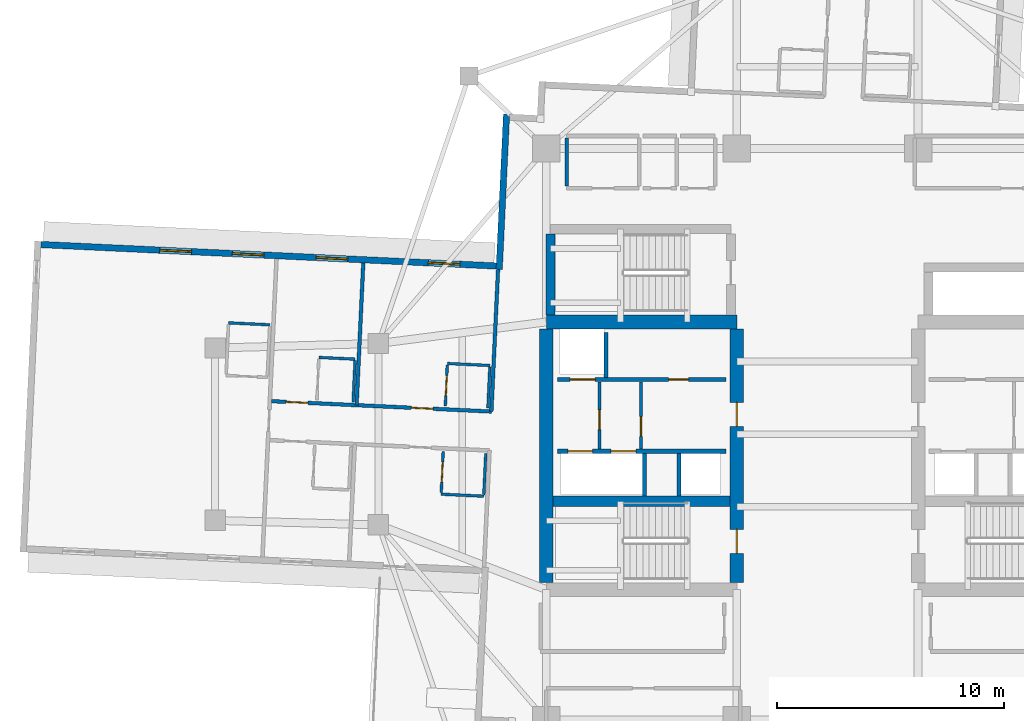
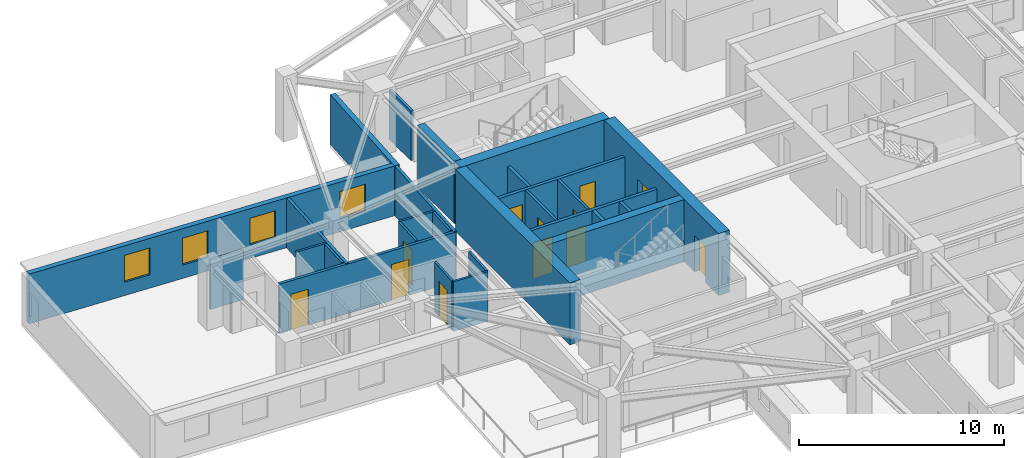
# One storey, part 5 of 14: 27 walls, 12 doors, 4 windows, 16 openings.
"""IFC4 building model written with IfcOpenShell, lengths in metres."""

from ifc_helpers import new_model, si_unit, direction, frame, frame_2d, origin, place, context, subcontext, project, spatial, rectangle, extrude, material, layer, layer_set, type_object, element, fill, save


model = new_model("IFC4")

# Units and contexts
model_context = context("Model", 3, precision=1e-05, world=origin(), true_north=direction((0.0, 1.0)))
body_context = subcontext(model_context, "Body", "Model", "MODEL_VIEW")
ifc_project = project(units=[si_unit("LENGTHUNIT", "METRE"), si_unit("AREAUNIT", "SQUARE_METRE"), si_unit("VOLUMEUNIT", "CUBIC_METRE"), si_unit("PLANEANGLEUNIT", "RADIAN"), si_unit("MASSUNIT", "GRAM", prefix="KILO")], contexts=[model_context])

# Site, building, storey
site_placement = place(None, origin())
site = spatial("IfcSite", under=ifc_project, at=site_placement, CompositionType="ELEMENT")
building_placement = place(site_placement, origin())
building = spatial("IfcBuilding", under=site, at=building_placement, Name="Qingluan Cross Belvedere", CompositionType="ELEMENT")
storey_placement = place(building_placement, frame((0.0, 0.0, 156.60009765625)))
storey = spatial("IfcBuildingStorey", under=building, at=storey_placement, Name="L39", CompositionType="ELEMENT", Elevation=156.60009765625)

# Walls
ifc_material_1 = material(Name="Concrete C50", Category="concrete")
ifc_layer_1 = layer(ifc_material_1, 0.449951171875, Name="CoreShearWall_450")
ifc_layer_set_1 = layer_set([ifc_layer_1], Name="Concrete C50")
wall_type_1 = type_object("IfcWallType", Name="CoreShearWall_450", PredefinedType="SHEAR", material=ifc_layer_set_1)
wall_1_placement = place(storey_placement, frame((-12.094970703125, -2.9599609375, 0.0), z_axis=(0.0, 0.0, 1.0), x_axis=(1.0, 0.0, 0.0)))
element("IfcWall", 1, at=wall_1_placement, inside=storey, type_object=wall_type_1, Name="Split core W shear wall L39-M", PredefinedType="SHEAR", context=body_context, shape_type="SweptSolid", body=[
    extrude(rectangle(XDim=7.7900390625, YDim=0.449951171875, at=frame_2d((3.89501953125, 0.0))), origin(), (0.0, 0.0, 1.0), 3.699951171875),
])
wall_2_placement = place(storey_placement, frame((-12.219970703125, 5.2548828125, 0.0), z_axis=(0.0, 0.0, 1.0), x_axis=(0.0, 1.0, 0.0)))
element("IfcWall", 2, at=wall_2_placement, inside=storey, type_object=wall_type_1, Name="Stair ST3 structural wall W L39", PredefinedType="SHEAR", context=body_context, shape_type="SweptSolid", body=[
    extrude(rectangle(XDim=3.580078125, YDim=0.39990234375, at=frame_2d((1.7900390625, 0.0))), origin(), (0.0, 0.0, 1.0), 3.699951171875),
])
ifc_material_2 = material(Name="Concrete C60", Category="concrete")
ifc_layer_2 = layer(ifc_material_2, 0.60009765625, Name="CoreShearWall_600")
ifc_layer_set_2 = layer_set([ifc_layer_2], Name="Concrete C60")
wall_type_2 = type_object("IfcWallType", Name="CoreShearWall_600", PredefinedType="SHEAR", material=ifc_layer_set_2)
wall_3_placement = place(storey_placement, frame((-12.39990234375, 4.949951171875, 0.0), z_axis=(0.0, 0.0, 1.0), x_axis=(1.0, 0.0, 0.0)))
element("IfcWall", 3, at=wall_3_placement, inside=storey, type_object=wall_type_2, Name="Split core W shear wall L39-N", PredefinedType="SHEAR", context=body_context, shape_type="SweptSolid", body=[
    extrude(rectangle(XDim=8.39990234375, YDim=0.60009765625, at=frame_2d((4.199951171875, 0.0))), origin(), (0.0, 0.0, 1.0), 3.699951171875),
])
wall_4_placement = place(storey_placement, frame((-12.39990234375, -6.544921875, 0.0), z_axis=(0.0, 0.0, 1.0), x_axis=(0.0, 1.0, 0.0)))
element("IfcWall", 4, at=wall_4_placement, inside=storey, type_object=wall_type_2, Name="Split core W shear wall L39-W", PredefinedType="SHEAR", context=body_context, shape_type="SweptSolid", body=[
    extrude(rectangle(XDim=11.18994140625, YDim=0.60009765625, at=frame_2d((5.594970703125, 0.0))), origin(), (0.0, 0.0, 1.0), 3.699951171875),
])

# Wall, openings, doors
wall_5_placement = place(storey_placement, frame((-4.0, -6.544921875, 0.0), z_axis=(0.0, 0.0, 1.0), x_axis=(0.0, 1.0, 0.0)))
wall_5 = element("IfcWall", 5, at=wall_5_placement, inside=storey, type_object=wall_type_2, Name="Split core W shear wall L39-E", PredefinedType="SHEAR", context=body_context, shape_type="SweptSolid", body=[
    extrude(rectangle(XDim=11.18994140625, YDim=0.60009765625, at=frame_2d((5.594970703125, 0.0))), origin(), (0.0, 0.0, 1.0), 3.699951171875),
])
opening_1_placement = place(wall_5_placement, frame((1.294921875, 0.0, 0.0)))
opening_1 = element("IfcOpeningElement", 6, at=opening_1_placement, cuts=wall_5, Name="Opening FD-B11", PredefinedType="OPENING", context=body_context, shape_type="SweptSolid", body=[
    extrude(rectangle(XDim=1.050048828125, YDim=2.14990234375, at=frame_2d((0.52490234375, 1.074951171875))), frame((0.0, 0.31005859375, 0.0), z_axis=(0.0, -1.0, 0.0), x_axis=(1.0, 0.0, 0.0)), (0.0, 0.0, 1.0), 0.6201171875),
])
opening_2_placement = place(wall_5_placement, frame((6.89501953125, 0.0, 0.0)))
opening_2 = element("IfcOpeningElement", 7, at=opening_2_placement, cuts=wall_5, Name="Opening FD-B11", PredefinedType="OPENING", context=body_context, shape_type="SweptSolid", body=[
    extrude(rectangle(XDim=1.050048828125, YDim=2.14990234375, at=frame_2d((0.52490234375, 1.074951171875))), frame((0.0, 0.31005859375, 0.0), z_axis=(0.0, -1.0, 0.0), x_axis=(1.0, 0.0, 0.0)), (0.0, 0.0, 1.0), 0.6201171875),
])
ifc_material_3 = material(Name="Steel Class B smoke-seal fire door", Category="steel")
door_type_1 = type_object("IfcDoorType", Name="StairLobbyFireDoor_FDB", OperationType="NOTDEFINED", PredefinedType="DOOR", material=ifc_material_3)
door_1_placement = place(opening_1_placement, origin())
door_1 = element("IfcDoor", 8, at=door_1_placement, inside=storey, type_object=door_type_1, Name="Smoke-proof stair ST1 fire door L39", OperationType="SINGLE_SWING_LEFT", OverallHeight=2.14990234375, OverallWidth=1.050048828125, PredefinedType="DOOR", context=body_context, shape_type="SweptSolid", body=[
    extrude(rectangle(XDim=1.050048828125, YDim=2.14990234375, at=frame_2d((0.52490234375, 1.074951171875))), frame((0.0, 0.02490234375, 0.0), z_axis=(0.0, -1.0, 0.0), x_axis=(1.0, 0.0, 0.0)), (0.0, 0.0, 1.0), 0.050048828125),
])
fill(opening_1, door_1)
door_2_placement = place(opening_2_placement, origin())
door_2 = element("IfcDoor", 9, at=door_2_placement, inside=storey, type_object=door_type_1, Name="Firefighting lobby West fire door L39", OperationType="SINGLE_SWING_LEFT", OverallHeight=2.14990234375, OverallWidth=1.050048828125, PredefinedType="DOOR", context=body_context, shape_type="SweptSolid", body=[
    extrude(rectangle(XDim=1.050048828125, YDim=2.14990234375, at=frame_2d((0.52490234375, 1.074951171875))), frame((0.0, 0.02490234375, 0.0), z_axis=(0.0, -1.0, 0.0), x_axis=(1.0, 0.0, 0.0)), (0.0, 0.0, 1.0), 0.050048828125),
])
fill(opening_2, door_2)

# Wall, opening, door
ifc_material_4 = material(Name="Gypsum plasterboard on steel stud acoustic partition", Category="steel")
ifc_layer_3 = layer(ifc_material_4, 0.159912109375, Name="CorridorPartition_160")
ifc_layer_set_3 = layer_set([ifc_layer_3], Name="Gypsum plasterboard on steel stud acoustic partition")
wall_type_3 = type_object("IfcWallType", Name="CorridorPartition_160", PredefinedType="PARTITIONING", material=ifc_layer_set_3)
wall_6_placement = place(storey_placement, frame((-10.050048828125, -0.652099609375, 0.0), z_axis=(0.0, 0.0, 1.0), x_axis=(0.0, 1.0, 0.0)))
wall_6 = element("IfcWall", 10, at=wall_6_placement, inside=storey, type_object=wall_type_3, Name="Partition L39:wv", PredefinedType="PARTITIONING", context=body_context, shape_type="SweptSolid", body=[
    extrude(rectangle(XDim=2.962158203125, YDim=0.139892578125, at=frame_2d((1.48095703125, 0.0))), origin(), (0.0, 0.0, 1.0), 2.9599609375),
])
opening_3_placement = place(wall_6_placement, frame((0.85009765625, 0.0, 0.0)))
opening_3 = element("IfcOpeningElement", 11, at=opening_3_placement, cuts=wall_6, Name="Opening FD-B10", PredefinedType="OPENING", context=body_context, shape_type="SweptSolid", body=[
    extrude(rectangle(XDim=0.8798828125, YDim=2.10009765625, at=frame_2d((0.43994140625, 1.050048828125))), frame((0.0, 0.079833984375, 0.0), z_axis=(0.0, -1.0, 0.0), x_axis=(1.0, 0.0, 0.0)), (0.0, 0.0, 1.0), 0.159912109375),
])
ifc_material_5 = material(Name="Steel Class B service fire door", Category="steel")
door_type_2 = type_object("IfcDoorType", Name="RiserServiceFireDoor_FDB", OperationType="NOTDEFINED", PredefinedType="DOOR", material=ifc_material_5)
door_3_placement = place(opening_3_placement, origin())
door_3 = element("IfcDoor", 12, at=door_3_placement, inside=storey, type_object=door_type_2, Name="Service closet inner door L39", OperationType="SINGLE_SWING_RIGHT", OverallHeight=2.10009765625, OverallWidth=0.8798828125, PredefinedType="DOOR", context=body_context, shape_type="SweptSolid", body=[
    extrude(rectangle(XDim=0.8798828125, YDim=2.10009765625, at=frame_2d((0.43994140625, 1.050048828125))), frame((0.0, 0.02490234375, 0.0), z_axis=(0.0, -1.0, 0.0), x_axis=(1.0, 0.0, 0.0)), (0.0, 0.0, 1.0), 0.050048828125),
])
fill(opening_3, door_3)

# Wall
wall_7_placement = place(storey_placement, frame((-11.5, 10.93505859375, 0.0), z_axis=(0.0, 0.0, 1.0), x_axis=(0.0, 1.0, 0.0)))
element("IfcWall", 13, at=wall_7_placement, inside=storey, type_object=wall_type_3, Name="Partition L39:q_nw_occ:W", PredefinedType="PARTITIONING", context=body_context, shape_type="SweptSolid", body=[
    extrude(rectangle(XDim=2.1298828125, YDim=0.159912109375, at=frame_2d((1.06494140625, 0.0))), origin(), (0.0, 0.0, 1.0), 2.9599609375),
])

# Wall, openings, doors
wall_8_placement = place(storey_placement, frame((-14.8193359375, 0.999267578125, 0.0), z_axis=(0.0, 0.0, 1.0), x_axis=(-0.998890575268, 0.047091598416, 0.0)))
wall_8 = element("IfcWall", 14, at=wall_8_placement, inside=storey, type_object=wall_type_3, Name="Partition L39:W:c0", PredefinedType="PARTITIONING", context=body_context, shape_type="SweptSolid", body=[
    extrude(rectangle(XDim=9.699951171875, YDim=0.159912109375, at=frame_2d((4.85009765625, 0.0))), origin(), (0.0, 0.0, 1.0), 2.9599609375),
])
opening_4_placement = place(wall_8_placement, frame((2.574951171875, 0.0, 0.0)))
opening_4 = element("IfcOpeningElement", 15, at=opening_4_placement, cuts=wall_8, Name="Opening GD-10", PredefinedType="OPENING", context=body_context, shape_type="SweptSolid", body=[
    extrude(rectangle(XDim=0.9599609375, YDim=2.14990234375, at=frame_2d((0.47998046875, 1.074951171875))), frame((0.0, 0.08984375, 0.0), z_axis=(0.0, -1.0, 0.0), x_axis=(1.0, 0.0, 0.0)), (0.0, 0.0, 1.0), 0.179931640625),
])
opening_5_placement = place(wall_8_placement, frame((8.096923828125, 0.0, 0.0)))
opening_5 = element("IfcOpeningElement", 16, at=opening_5_placement, cuts=wall_8, Name="Opening GD-10", PredefinedType="OPENING", context=body_context, shape_type="SweptSolid", body=[
    extrude(rectangle(XDim=0.9599609375, YDim=2.14990234375, at=frame_2d((0.47998046875, 1.074951171875))), frame((0.0, 0.08984375, 0.0), z_axis=(0.0, -1.0, 0.0), x_axis=(1.0, 0.0, 0.0)), (0.0, 0.0, 1.0), 0.179931640625),
])
ifc_material_6 = material(Name="Timber oak fire-rated acoustic guestroom door", Category="wood")
door_type_3 = type_object("IfcDoorType", Name="GuestEntryDoor_FD60", OperationType="NOTDEFINED", PredefinedType="DOOR", material=ifc_material_6)
door_4_placement = place(opening_4_placement, origin())
door_4 = element("IfcDoor", 17, at=door_4_placement, inside=storey, type_object=door_type_3, Name="Guest entry fire door 3907", OperationType="SINGLE_SWING_RIGHT", OverallHeight=2.14990234375, OverallWidth=0.9599609375, PredefinedType="DOOR", context=body_context, shape_type="SweptSolid", body=[
    extrude(rectangle(XDim=0.9599609375, YDim=2.14990234375, at=frame_2d((0.47998046875, 1.074951171875))), frame((0.0, 0.02490234375, 0.0), z_axis=(0.0, -1.0, 0.0), x_axis=(1.0, 0.0, 0.0)), (0.0, 0.0, 1.0), 0.050048828125),
])
fill(opening_4, door_4)
door_5_placement = place(opening_5_placement, origin())
door_5 = element("IfcDoor", 18, at=door_5_placement, inside=storey, type_object=door_type_3, Name="Guest entry fire door 3908", OperationType="SINGLE_SWING_RIGHT", OverallHeight=2.14990234375, OverallWidth=0.9599609375, PredefinedType="DOOR", context=body_context, shape_type="SweptSolid", body=[
    extrude(rectangle(XDim=0.9599609375, YDim=2.14990234375, at=frame_2d((0.47998046875, 1.074951171875))), frame((0.0, 0.02490234375, 0.0), z_axis=(0.0, -1.0, 0.0), x_axis=(1.0, 0.0, 0.0)), (0.0, 0.0, 1.0), 0.050048828125),
])
fill(opening_5, door_5)

# Walls
wall_9_placement = place(storey_placement, frame((-14.8193359375, 0.999267578125, 0.0), z_axis=(0.0, 0.0, 1.0), x_axis=(0.047099102485, 0.998890221468, 0.0)))
element("IfcWall", 19, at=wall_9_placement, inside=storey, type_object=wall_type_3, Name="Partition L39:W:s0", PredefinedType="PARTITIONING", context=body_context, shape_type="SweptSolid", body=[
    extrude(rectangle(XDim=6.272216796875, YDim=0.159912109375, at=frame_2d((3.13623046875, 0.0))), origin(), (0.0, 0.0, 1.0), 2.9599609375),
])
wall_10_placement = place(storey_placement, frame((-20.7626953125, 1.279541015625, 0.0), z_axis=(0.0, 0.0, 1.0), x_axis=(0.047100933849, 0.998890135115, 0.0)))
element("IfcWall", 20, at=wall_10_placement, inside=storey, type_object=wall_type_3, Name="Partition L39:W:d0_0", PredefinedType="PARTITIONING", context=body_context, shape_type="SweptSolid", body=[
    extrude(rectangle(XDim=6.27197265625, YDim=0.159912109375, at=frame_2d((3.135986328125, 0.0))), origin(), (0.0, 0.0, 1.0), 2.9599609375),
])

# Wall, opening, door
ifc_material_7 = material(Name="Moisture-resistant gypsum board lining")
ifc_layer_4 = layer(ifc_material_7, 0.1201171875, Name="EnsuiteWetPartition_120")
ifc_layer_set_4 = layer_set([ifc_layer_4], Name="Moisture-resistant gypsum board lining")
wall_type_4 = type_object("IfcWallType", Name="EnsuiteWetPartition_120", PredefinedType="PARTITIONING", material=ifc_layer_set_4)
wall_11_placement = place(storey_placement, frame((-16.8505859375, 1.235107421875, 0.0), z_axis=(0.0, 0.0, 1.0), x_axis=(0.047087116047, 0.998890786574, 0.0)))
wall_11 = element("IfcWall", 21, at=wall_11_placement, inside=storey, type_object=wall_type_4, Name="Partition L39:W:bs0_0", PredefinedType="PARTITIONING", context=body_context, shape_type="SweptSolid", body=[
    extrude(rectangle(XDim=1.81982421875, YDim=0.1201171875, at=frame_2d((0.909912109375, 0.0))), origin(), (0.0, 0.0, 1.0), 2.9599609375),
])
opening_6_placement = place(wall_11_placement, frame((0.469970703125, 0.0, 0.0)))
opening_6 = element("IfcOpeningElement", 22, at=opening_6_placement, cuts=wall_11, Name="Opening BD-09", PredefinedType="OPENING", context=body_context, shape_type="SweptSolid", body=[
    extrude(rectangle(XDim=0.8798828125, YDim=2.10009765625, at=frame_2d((0.43994140625, 1.050048828125))), frame((0.0, 0.070068359375, 0.0), z_axis=(0.0, -1.0, 0.0), x_axis=(1.0, 0.0, 0.0)), (0.0, 0.0, 1.0), 0.14013671875),
])
ifc_material_8 = material(Name="Moisture-sealed timber en-suite door", Category="wood")
door_type_4 = type_object("IfcDoorType", Name="BathroomDoor_880", OperationType="NOTDEFINED", PredefinedType="DOOR", material=ifc_material_8)
door_6_placement = place(opening_6_placement, origin())
door_6 = element("IfcDoor", 23, at=door_6_placement, inside=storey, type_object=door_type_4, Name="Bathroom door 3907", OperationType="SINGLE_SWING_LEFT", OverallHeight=2.10009765625, OverallWidth=0.8798828125, PredefinedType="DOOR", context=body_context, shape_type="SweptSolid", body=[
    extrude(rectangle(XDim=0.8798828125, YDim=2.10009765625, at=frame_2d((0.43994140625, 1.050048828125))), frame((0.0, 0.02490234375, 0.0), z_axis=(0.0, -1.0, 0.0), x_axis=(1.0, 0.0, 0.0)), (0.0, 0.0, 1.0), 0.050048828125),
])
fill(opening_6, door_6)

# Walls
wall_12_placement = place(storey_placement, frame((-14.97265625, 1.146484375, 0.0), z_axis=(0.0, 0.0, 1.0), x_axis=(0.047080807099, 0.998891083954, 0.0)))
element("IfcWall", 24, at=wall_12_placement, inside=storey, type_object=wall_type_4, Name="Partition L39:W:bw0_0", PredefinedType="PARTITIONING", context=body_context, shape_type="SweptSolid", body=[
    extrude(rectangle(XDim=1.820068359375, YDim=0.1201171875, at=frame_2d((0.91015625, 0.0))), origin(), (0.0, 0.0, 1.0), 2.9599609375),
])
wall_13_placement = place(storey_placement, frame((-14.8837890625, 3.029541015625, 0.0), z_axis=(0.0, 0.0, 1.0), x_axis=(-0.998894425757, 0.04700985207, 0.0)))
element("IfcWall", 25, at=wall_13_placement, inside=storey, type_object=wall_type_4, Name="Partition L39:W:bn0_0", PredefinedType="PARTITIONING", context=body_context, shape_type="SweptSolid", body=[
    extrude(rectangle(XDim=1.880126953125, YDim=0.1201171875, at=frame_2d((0.93994140625, 0.0))), origin(), (0.0, 0.0, 1.0), 2.9599609375),
])
wall_14_placement = place(storey_placement, frame((-20.916015625, 1.427001953125, 0.0), z_axis=(0.0, 0.0, 1.0), x_axis=(0.047087116047, 0.998890786574, 0.0)))
element("IfcWall", 26, at=wall_14_placement, inside=storey, type_object=wall_type_4, Name="Partition L39:W:bw0_1", PredefinedType="PARTITIONING", context=body_context, shape_type="SweptSolid", body=[
    extrude(rectangle(XDim=1.81982421875, YDim=0.1201171875, at=frame_2d((0.909912109375, 0.0))), origin(), (0.0, 0.0, 1.0), 2.9599609375),
])
wall_15_placement = place(storey_placement, frame((-20.8271484375, 3.309814453125, 0.0), z_axis=(0.0, 0.0, 1.0), x_axis=(-0.998894906392, 0.046999638125, 0.0)))
element("IfcWall", 27, at=wall_15_placement, inside=storey, type_object=wall_type_4, Name="Partition L39:W:bn0_1", PredefinedType="PARTITIONING", context=body_context, shape_type="SweptSolid", body=[
    extrude(rectangle(XDim=1.599853515625, YDim=0.1201171875, at=frame_2d((0.7998046875, 0.0))), origin(), (0.0, 0.0, 1.0), 2.9599609375),
])

# Wall, opening, door
wall_16_placement = place(storey_placement, frame((-17.030517578125, -2.58056640625, 0.0), z_axis=(0.0, 0.0, 1.0), x_axis=(0.047220968666, 0.998884467853, 0.0)))
wall_16 = element("IfcWall", 28, at=wall_16_placement, inside=storey, type_object=wall_type_4, Name="Partition L39:W:bs1_0", PredefinedType="PARTITIONING", context=body_context, shape_type="SweptSolid", body=[
    extrude(rectangle(XDim=1.81982421875, YDim=0.1201171875, at=frame_2d((0.909912109375, 0.0))), origin(), (0.0, 0.0, 1.0), 2.9599609375),
])
opening_7_placement = place(wall_16_placement, frame((0.469970703125, 0.0, 0.0)))
opening_7 = element("IfcOpeningElement", 29, at=opening_7_placement, cuts=wall_16, Name="Opening BD-09", PredefinedType="OPENING", context=body_context, shape_type="SweptSolid", body=[
    extrude(rectangle(XDim=0.8798828125, YDim=2.10009765625, at=frame_2d((0.43994140625, 1.050048828125))), frame((0.0, 0.070068359375, 0.0), z_axis=(0.0, -1.0, 0.0), x_axis=(1.0, 0.0, 0.0)), (0.0, 0.0, 1.0), 0.14013671875),
])
door_7_placement = place(opening_7_placement, origin())
door_7 = element("IfcDoor", 30, at=door_7_placement, inside=storey, type_object=door_type_4, Name="Bathroom door 3909", OperationType="SINGLE_SWING_LEFT", OverallHeight=2.10009765625, OverallWidth=0.8798828125, PredefinedType="DOOR", context=body_context, shape_type="SweptSolid", body=[
    extrude(rectangle(XDim=0.8798828125, YDim=2.10009765625, at=frame_2d((0.43994140625, 1.050048828125))), frame((0.0, 0.02490234375, 0.0), z_axis=(0.0, -1.0, 0.0), x_axis=(1.0, 0.0, 0.0)), (0.0, 0.0, 1.0), 0.050048828125),
])
fill(opening_7, door_7)

# Walls
wall_17_placement = place(storey_placement, frame((-15.152587890625, -2.669189453125, 0.0), z_axis=(0.0, 0.0, 1.0), x_axis=(0.047087116047, 0.998890786574, 0.0)))
element("IfcWall", 31, at=wall_17_placement, inside=storey, type_object=wall_type_4, Name="Partition L39:W:bw1_0", PredefinedType="PARTITIONING", context=body_context, shape_type="SweptSolid", body=[
    extrude(rectangle(XDim=1.81982421875, YDim=0.1201171875, at=frame_2d((0.909912109375, 0.0))), origin(), (0.0, 0.0, 1.0), 2.9599609375),
])
wall_18_placement = place(storey_placement, frame((-15.155517578125, -2.734130859375, 0.0), z_axis=(0.0, 0.0, 1.0), x_axis=(-0.998888319371, 0.047139425368, 0.0)))
element("IfcWall", 32, at=wall_18_placement, inside=storey, type_object=wall_type_4, Name="Partition L39:W:bc1_0", PredefinedType="PARTITIONING", context=body_context, shape_type="SweptSolid", body=[
    extrude(rectangle(XDim=1.880126953125, YDim=0.1201171875, at=frame_2d((0.93994140625, 0.0))), origin(), (0.0, 0.0, 1.0), 2.9599609375),
])
wall_19_placement = place(storey_placement, frame((-24.590087890625, 4.82373046875, 0.0), z_axis=(0.0, 0.0, 1.0), x_axis=(-0.998890786574, 0.047087116047, 0.0)))
element("IfcWall", 33, at=wall_19_placement, inside=storey, type_object=wall_type_4, Name="Partition L39:Wcap:bn", PredefinedType="PARTITIONING", context=body_context, shape_type="SweptSolid", body=[
    extrude(rectangle(XDim=1.81982421875, YDim=0.1201171875, at=frame_2d((0.909912109375, 0.0))), origin(), (0.0, 0.0, 1.0), 2.9599609375),
])

# Wall, openings, windows
ifc_material_9 = material(Name="Precast concrete C45", Category="concrete")
ifc_layer_5 = layer(ifc_material_9, 0.280029296875, Name="PrecastFacadeWall_280")
ifc_layer_set_5 = layer_set([ifc_layer_5], Name="Precast concrete C45")
wall_type_5 = type_object("IfcWallType", Name="PrecastFacadeWall_280", PredefinedType="STANDARD", material=ifc_layer_set_5)
wall_20_placement = place(storey_placement, frame((-14.60693359375, 7.416259765625, 0.0), z_axis=(0.0, 0.0, 1.0), x_axis=(-0.998890015344, 0.047103473814, 0.0)))
wall_20 = element("IfcWall", 34, at=wall_20_placement, inside=storey, type_object=wall_type_5, Name="Facade wall L39-WA", PredefinedType="STANDARD", context=body_context, shape_type="SweptSolid", body=[
    extrude(rectangle(XDim=20.099853515625, YDim=0.280029296875, at=frame_2d((10.0498046875, 0.0))), origin(), (0.0, 0.0, 1.0), 2.969970703125),
])
opening_8_placement = place(wall_20_placement, frame((1.60009765625, 0.0, 0.800048828125)))
opening_8 = element("IfcOpeningElement", 35, at=opening_8_placement, cuts=wall_20, Name="Opening W-01", PredefinedType="OPENING", context=body_context, shape_type="SweptSolid", body=[
    extrude(rectangle(XDim=1.39990234375, YDim=1.60009765625, at=frame_2d((0.699951171875, 0.800048828125))), frame((0.0, 0.14990234375, 0.0), z_axis=(0.0, -1.0, 0.0), x_axis=(1.0, 0.0, 0.0)), (0.0, 0.0, 1.0), 0.300048828125),
])
opening_9_placement = place(wall_20_placement, frame((6.550048828125, 0.0, 0.800048828125)))
opening_9 = element("IfcOpeningElement", 36, at=opening_9_placement, cuts=wall_20, Name="Opening W-01", PredefinedType="OPENING", context=body_context, shape_type="SweptSolid", body=[
    extrude(rectangle(XDim=1.39990234375, YDim=1.60009765625, at=frame_2d((0.699951171875, 0.800048828125))), frame((0.0, 0.14990234375, 0.0), z_axis=(0.0, -1.0, 0.0), x_axis=(1.0, 0.0, 0.0)), (0.0, 0.0, 1.0), 0.300048828125),
])
opening_10_placement = place(wall_20_placement, frame((10.25, 0.0, 0.800048828125)))
opening_10 = element("IfcOpeningElement", 37, at=opening_10_placement, cuts=wall_20, Name="Opening W-01", PredefinedType="OPENING", context=body_context, shape_type="SweptSolid", body=[
    extrude(rectangle(XDim=1.39990234375, YDim=1.60009765625, at=frame_2d((0.699951171875, 0.800048828125))), frame((0.0, 0.14990234375, 0.0), z_axis=(0.0, -1.0, 0.0), x_axis=(1.0, 0.0, 0.0)), (0.0, 0.0, 1.0), 0.300048828125),
])
opening_11_placement = place(wall_20_placement, frame((13.449951171875, 0.0, 0.800048828125)))
opening_11 = element("IfcOpeningElement", 38, at=opening_11_placement, cuts=wall_20, Name="Opening W-01", PredefinedType="OPENING", context=body_context, shape_type="SweptSolid", body=[
    extrude(rectangle(XDim=1.39990234375, YDim=1.60009765625, at=frame_2d((0.699951171875, 0.800048828125))), frame((0.0, 0.14990234375, 0.0), z_axis=(0.0, -1.0, 0.0), x_axis=(1.0, 0.0, 0.0)), (0.0, 0.0, 1.0), 0.300048828125),
])
ifc_material_10 = material(Name="Thermally broken triple Low-E glass in aluminium frame", Category="aluminium")
window_type = type_object("IfcWindowType", Name="TriRibbonWin_1400x1600", PartitioningType="SINGLE_PANEL", PredefinedType="WINDOW", material=ifc_material_10)
window_1_placement = place(opening_8_placement, origin())
window_1 = element("IfcWindow", 39, at=window_1_placement, inside=storey, type_object=window_type, Name="Ribbon window L39-WA-1", OverallHeight=1.60009765625, OverallWidth=1.39990234375, PartitioningType="SINGLE_PANEL", PredefinedType="WINDOW", context=body_context, shape_type="SweptSolid", body=[
    extrude(rectangle(XDim=1.39990234375, YDim=1.60009765625, at=frame_2d((0.699951171875, 0.800048828125))), frame((0.0, 0.030029296875, 0.0), z_axis=(0.0, -1.0, 0.0), x_axis=(1.0, 0.0, 0.0)), (0.0, 0.0, 1.0), 0.06005859375),
])
fill(opening_8, window_1)
window_2_placement = place(opening_9_placement, origin())
window_2 = element("IfcWindow", 40, at=window_2_placement, inside=storey, type_object=window_type, Name="Ribbon window L39-WA-2", OverallHeight=1.60009765625, OverallWidth=1.39990234375, PartitioningType="SINGLE_PANEL", PredefinedType="WINDOW", context=body_context, shape_type="SweptSolid", body=[
    extrude(rectangle(XDim=1.39990234375, YDim=1.60009765625, at=frame_2d((0.699951171875, 0.800048828125))), frame((0.0, 0.030029296875, 0.0), z_axis=(0.0, -1.0, 0.0), x_axis=(1.0, 0.0, 0.0)), (0.0, 0.0, 1.0), 0.06005859375),
])
fill(opening_9, window_2)
window_3_placement = place(opening_10_placement, origin())
window_3 = element("IfcWindow", 41, at=window_3_placement, inside=storey, type_object=window_type, Name="Ribbon window L39-WA-3", OverallHeight=1.60009765625, OverallWidth=1.39990234375, PartitioningType="SINGLE_PANEL", PredefinedType="WINDOW", context=body_context, shape_type="SweptSolid", body=[
    extrude(rectangle(XDim=1.39990234375, YDim=1.60009765625, at=frame_2d((0.699951171875, 0.800048828125))), frame((0.0, 0.030029296875, 0.0), z_axis=(0.0, -1.0, 0.0), x_axis=(1.0, 0.0, 0.0)), (0.0, 0.0, 1.0), 0.06005859375),
])
fill(opening_10, window_3)
window_4_placement = place(opening_11_placement, origin())
window_4 = element("IfcWindow", 42, at=window_4_placement, inside=storey, type_object=window_type, Name="Ribbon window L39-WA-4", OverallHeight=1.60009765625, OverallWidth=1.39990234375, PartitioningType="SINGLE_PANEL", PredefinedType="WINDOW", context=body_context, shape_type="SweptSolid", body=[
    extrude(rectangle(XDim=1.39990234375, YDim=1.60009765625, at=frame_2d((0.699951171875, 0.800048828125))), frame((0.0, 0.030029296875, 0.0), z_axis=(0.0, -1.0, 0.0), x_axis=(1.0, 0.0, 0.0)), (0.0, 0.0, 1.0), 0.06005859375),
])
fill(opening_11, window_4)

# Wall
wall_21_placement = place(storey_placement, frame((-14.4736328125, 7.27001953125, 0.0), z_axis=(0.0, 0.0, 1.0), x_axis=(0.04712043756, 0.998889215261, 0.0)))
element("IfcWall", 43, at=wall_21_placement, inside=storey, type_object=wall_type_5, Name="Corner wall L39-NW1", PredefinedType="STANDARD", context=body_context, shape_type="SweptSolid", body=[
    extrude(rectangle(XDim=6.85986328125, YDim=0.280029296875, at=frame_2d((3.429931640625, 0.0))), origin(), (0.0, 0.0, 1.0), 2.969970703125),
])

# Wall, openings, doors
ifc_material_11 = material(Name="Concrete C40", Category="concrete")
ifc_layer_6 = layer(ifc_material_11, 0.219970703125, Name="ShaftEnclosureWall_250")
ifc_layer_set_6 = layer_set([ifc_layer_6], Name="Concrete C40")
wall_type_6 = type_object("IfcWallType", Name="ShaftEnclosureWall_250", PredefinedType="SOLIDWALL", material=ifc_layer_set_6)
wall_22_placement = place(storey_placement, frame((-11.89990234375, 2.409912109375, 0.0), z_axis=(0.0, 0.0, 1.0), x_axis=(1.0, 0.0, 0.0)))
wall_22 = element("IfcWall", 44, at=wall_22_placement, inside=storey, type_object=wall_type_6, Name="Core-W north hoistway wall L39", PredefinedType="SOLIDWALL", context=body_context, shape_type="SweptSolid", body=[
    extrude(rectangle(XDim=7.419921875, YDim=0.179931640625, at=frame_2d((3.7099609375, 0.0))), origin(), (0.0, 0.0, 1.0), 2.9599609375),
])
opening_12_placement = place(wall_22_placement, frame((0.550048828125, 0.0, 0.0)))
opening_12 = element("IfcOpeningElement", 45, at=opening_12_placement, cuts=wall_22, Name="Opening LD-11", PredefinedType="OPENING", context=body_context, shape_type="SweptSolid", body=[
    extrude(rectangle(XDim=1.10009765625, YDim=2.14990234375, at=frame_2d((0.550048828125, 1.074951171875))), frame((0.0, 0.099853515625, 0.0), z_axis=(0.0, -1.0, 0.0), x_axis=(1.0, 0.0, 0.0)), (0.0, 0.0, 1.0), 0.199951171875),
])
opening_13_placement = place(wall_22_placement, frame((4.89990234375, 0.0, 0.0)))
opening_13 = element("IfcOpeningElement", 46, at=opening_13_placement, cuts=wall_22, Name="Opening FD-B10", PredefinedType="OPENING", context=body_context, shape_type="SweptSolid", body=[
    extrude(rectangle(XDim=0.8798828125, YDim=2.10009765625, at=frame_2d((0.43994140625, 1.050048828125))), frame((0.0, 0.099853515625, 0.0), z_axis=(0.0, -1.0, 0.0), x_axis=(1.0, 0.0, 0.0)), (0.0, 0.0, 1.0), 0.199951171875),
])
ifc_material_12 = material(Name="Brushed stainless steel centre-opening lift landing door", Category="steel")
door_type_5 = type_object("IfcDoorType", Name="LiftLandingSlidingDoor_1100", OperationType="DOUBLE_DOOR_SLIDING", PredefinedType="DOOR", material=ifc_material_12)
door_8_placement = place(opening_12_placement, origin())
door_8 = element("IfcDoor", 47, at=door_8_placement, inside=storey, type_object=door_type_5, Name="Lift landing sliding door FL1 L39", OperationType="DOUBLE_DOOR_SLIDING", OverallHeight=2.14990234375, OverallWidth=1.10009765625, PredefinedType="DOOR", context=body_context, shape_type="SweptSolid", body=[
    extrude(rectangle(XDim=1.10009765625, YDim=2.14990234375, at=frame_2d((0.550048828125, 1.074951171875))), frame((0.0, 0.02490234375, 0.0), z_axis=(0.0, -1.0, 0.0), x_axis=(1.0, 0.0, 0.0)), (0.0, 0.0, 1.0), 0.050048828125),
])
fill(opening_12, door_8)
door_9_placement = place(opening_13_placement, origin())
door_9 = element("IfcDoor", 48, at=door_9_placement, inside=storey, type_object=door_type_2, Name="Housekeeping supply room door W L39", OperationType="SINGLE_SWING_RIGHT", OverallHeight=2.10009765625, OverallWidth=0.8798828125, PredefinedType="DOOR", context=body_context, shape_type="SweptSolid", body=[
    extrude(rectangle(XDim=0.8798828125, YDim=2.10009765625, at=frame_2d((0.43994140625, 1.050048828125))), frame((0.0, 0.02490234375, 0.0), z_axis=(0.0, -1.0, 0.0), x_axis=(1.0, 0.0, 0.0)), (0.0, 0.0, 1.0), 0.050048828125),
])
fill(opening_13, door_9)

wall_23_placement = place(storey_placement, frame((-11.89990234375, -0.75, 0.0), z_axis=(0.0, 0.0, 1.0), x_axis=(1.0, 0.0, 0.0)))
wall_23 = element("IfcWall", 49, at=wall_23_placement, inside=storey, type_object=wall_type_6, Name="Core-W mid hoistway wall L39", PredefinedType="SOLIDWALL", context=body_context, shape_type="SweptSolid", body=[
    extrude(rectangle(XDim=7.419921875, YDim=0.179931640625, at=frame_2d((3.7099609375, 0.0))), origin(), (0.0, 0.0, 1.0), 2.9599609375),
])
opening_14_placement = place(wall_23_placement, frame((0.449951171875, 0.0, 0.0)))
opening_14 = element("IfcOpeningElement", 50, at=opening_14_placement, cuts=wall_23, Name="Opening LD-11", PredefinedType="OPENING", context=body_context, shape_type="SweptSolid", body=[
    extrude(rectangle(XDim=1.10009765625, YDim=2.14990234375, at=frame_2d((0.550048828125, 1.074951171875))), frame((0.0, 0.099853515625, 0.0), z_axis=(0.0, -1.0, 0.0), x_axis=(1.0, 0.0, 0.0)), (0.0, 0.0, 1.0), 0.199951171875),
])
opening_15_placement = place(wall_23_placement, frame((2.35009765625, 0.0, 0.0)))
opening_15 = element("IfcOpeningElement", 51, at=opening_15_placement, cuts=wall_23, Name="Opening LD-11", PredefinedType="OPENING", context=body_context, shape_type="SweptSolid", body=[
    extrude(rectangle(XDim=1.10009765625, YDim=2.14990234375, at=frame_2d((0.550048828125, 1.074951171875))), frame((0.0, 0.099853515625, 0.0), z_axis=(0.0, -1.0, 0.0), x_axis=(1.0, 0.0, 0.0)), (0.0, 0.0, 1.0), 0.199951171875),
])
door_10_placement = place(opening_14_placement, origin())
door_10 = element("IfcDoor", 52, at=door_10_placement, inside=storey, type_object=door_type_5, Name="Lift landing sliding door LP5 L39", OperationType="DOUBLE_DOOR_SLIDING", OverallHeight=2.14990234375, OverallWidth=1.10009765625, PredefinedType="DOOR", context=body_context, shape_type="SweptSolid", body=[
    extrude(rectangle(XDim=1.10009765625, YDim=2.14990234375, at=frame_2d((0.550048828125, 1.074951171875))), frame((0.0, 0.02490234375, 0.0), z_axis=(0.0, -1.0, 0.0), x_axis=(1.0, 0.0, 0.0)), (0.0, 0.0, 1.0), 0.050048828125),
])
fill(opening_14, door_10)
door_11_placement = place(opening_15_placement, origin())
door_11 = element("IfcDoor", 53, at=door_11_placement, inside=storey, type_object=door_type_5, Name="Lift landing sliding door LP6 L39", OperationType="DOUBLE_DOOR_SLIDING", OverallHeight=2.14990234375, OverallWidth=1.10009765625, PredefinedType="DOOR", context=body_context, shape_type="SweptSolid", body=[
    extrude(rectangle(XDim=1.10009765625, YDim=2.14990234375, at=frame_2d((0.550048828125, 1.074951171875))), frame((0.0, 0.02490234375, 0.0), z_axis=(0.0, -1.0, 0.0), x_axis=(1.0, 0.0, 0.0)), (0.0, 0.0, 1.0), 0.050048828125),
])
fill(opening_15, door_11)

# Walls
wall_24_placement = place(storey_placement, frame((-9.760009765625, 2.5, 0.0), z_axis=(0.0, 0.0, 1.0), x_axis=(0.0, 1.0, 0.0)))
element("IfcWall", 54, at=wall_24_placement, inside=storey, type_object=wall_type_6, Name="Hoistway enclosure divider FL1E L39", PredefinedType="SOLIDWALL", context=body_context, shape_type="SweptSolid", body=[
    extrude(rectangle(XDim=1.989990234375, YDim=0.179931640625, at=frame_2d((0.9951171875, 0.0))), origin(), (0.0, 0.0, 1.0), 2.9599609375),
])
for number, where, z_axis, x_axis, name in (
    (55, (-8.06005859375, -2.72998046875, 0.0), (0.0, 0.0, 1.0), (0.0, 1.0, 0.0), "Hoistway enclosure divider LP6E L39"),
    (56, (-6.5400390625, -2.72998046875, 0.0), (0.0, 0.0, 1.0), (0.0, 1.0, 0.0), "Hoistway enclosure divider LP8W L39"),
):
    element("IfcWall", number, at=place(storey_placement, frame(where, z_axis=z_axis, x_axis=x_axis)), inside=storey, type_object=wall_type_6, Name=name, PredefinedType="SOLIDWALL", context=body_context, shape_type="SweptSolid", body=[
        extrude(rectangle(XDim=1.889892578125, YDim=0.179931640625, at=frame_2d((0.94482421875, 0.0))), origin(), (0.0, 0.0, 1.0), 2.9599609375),
    ])

# Wall, opening, door
wall_25_placement = place(storey_placement, frame((-8.219970703125, -0.64990234375, 0.0), z_axis=(0.0, 0.0, 1.0), x_axis=(0.0, 1.0, 0.0)))
wall_25 = element("IfcWall", 57, at=wall_25_placement, inside=storey, type_object=wall_type_6, Name="Core-W service corridor wall L39", PredefinedType="SOLIDWALL", context=body_context, shape_type="SweptSolid", body=[
    extrude(rectangle(XDim=2.9599609375, YDim=0.139892578125, at=frame_2d((1.47998046875, 0.0))), origin(), (0.0, 0.0, 1.0), 2.9599609375),
])
opening_16_placement = place(wall_25_placement, frame((0.550048828125, 0.0, 0.0)))
opening_16 = element("IfcOpeningElement", 58, at=opening_16_placement, cuts=wall_25, Name="Opening FD-B10", PredefinedType="OPENING", context=body_context, shape_type="SweptSolid", body=[
    extrude(rectangle(XDim=0.8798828125, YDim=2.10009765625, at=frame_2d((0.43994140625, 1.050048828125))), frame((0.0, 0.079833984375, 0.0), z_axis=(0.0, -1.0, 0.0), x_axis=(1.0, 0.0, 0.0)), (0.0, 0.0, 1.0), 0.159912109375),
])
door_12_placement = place(opening_16_placement, origin())
door_12 = element("IfcDoor", 59, at=door_12_placement, inside=storey, type_object=door_type_2, Name="Core-W service room door L39", OperationType="SINGLE_SWING_RIGHT", OverallHeight=2.10009765625, OverallWidth=0.8798828125, PredefinedType="DOOR", context=body_context, shape_type="SweptSolid", body=[
    extrude(rectangle(XDim=0.8798828125, YDim=2.10009765625, at=frame_2d((0.43994140625, 1.050048828125))), frame((0.0, 0.02490234375, 0.0), z_axis=(0.0, -1.0, 0.0), x_axis=(1.0, 0.0, 0.0)), (0.0, 0.0, 1.0), 0.050048828125),
])
fill(opening_16, door_12)

save(model, "model.ifc")
